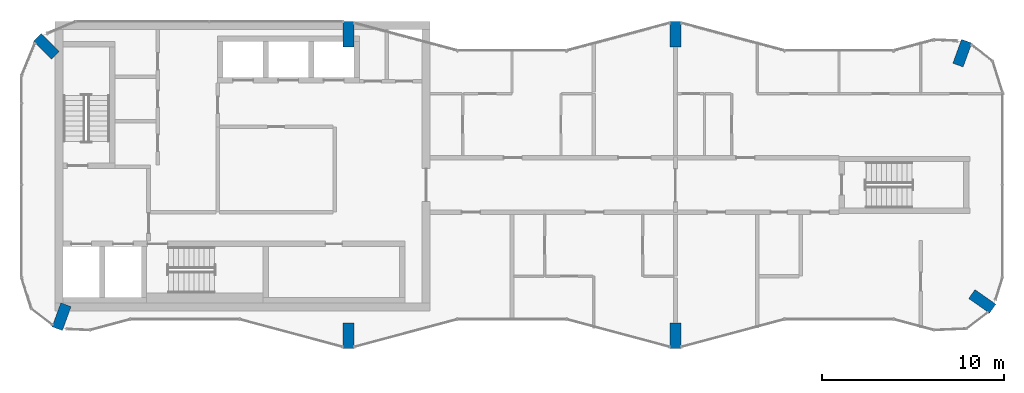
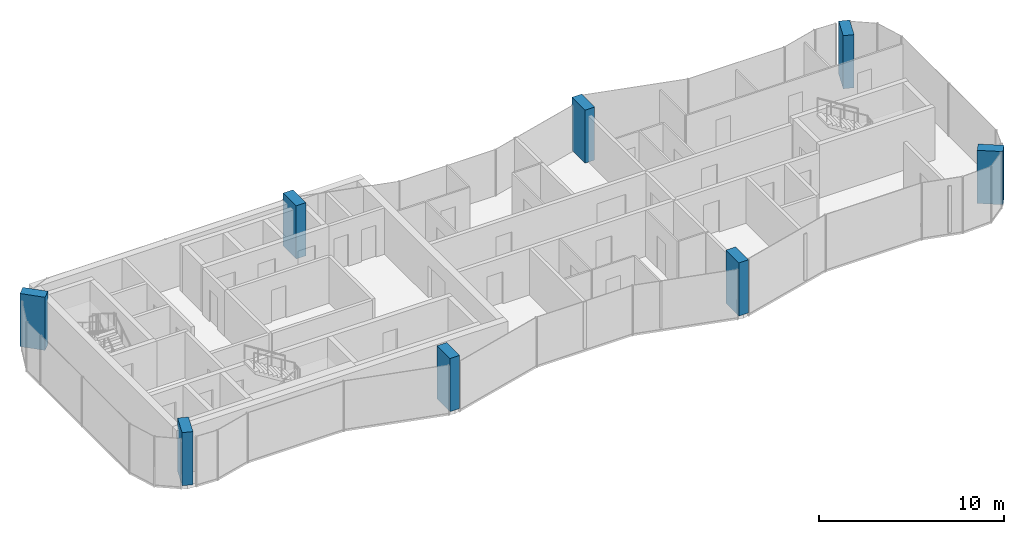
# One storey, part 1 of 10: 8 columns.
"""IFC4 building model written with IfcOpenShell, lengths in metres."""

from ifc_helpers import new_model, si_unit, direction, frame, origin, origin_2d, place, context, subcontext, project, spatial, rectangle, extrude, material, material_profile, profile_set, type_object, element, save


model = new_model("IFC4")

# Units and contexts
model_context = context("Model", 3, precision=1e-05, world=origin(), true_north=direction((0.0, 1.0)))
body_context = subcontext(model_context, "Body", "Model", "MODEL_VIEW")
ifc_project = project(units=[si_unit("LENGTHUNIT", "METRE"), si_unit("AREAUNIT", "SQUARE_METRE"), si_unit("VOLUMEUNIT", "CUBIC_METRE"), si_unit("PLANEANGLEUNIT", "RADIAN"), si_unit("MASSUNIT", "GRAM", prefix="KILO")], contexts=[model_context])

# Site, building, storey
site_placement = place(None, origin())
site = spatial("IfcSite", under=ifc_project, at=site_placement, CompositionType="ELEMENT")
building_placement = place(site_placement, origin())
building = spatial("IfcBuilding", under=site, at=building_placement, Name="Plateau Cross Towers", CompositionType="ELEMENT")
storey_placement = place(building_placement, frame((0.0, 0.0, 284.39990234375)))
storey = spatial("IfcBuildingStorey", under=building, at=storey_placement, Name="L75", CompositionType="ELEMENT", Elevation=284.39990234375)

# Columns
ifc_material = material(Name="Concrete C60/75", Category="concrete")
ifc_material_profile = material_profile(ifc_material, rectangle(XDim=0.60009765625, YDim=1.39990234375, at=origin_2d()), Name="RC 600x1400")
ifc_profile_set = profile_set([ifc_material_profile], Name="Concrete C60/75")
column_type = type_object("IfcColumnType", Name="Fin pier column RC 600x1400", PredefinedType="COLUMN", material=ifc_profile_set)
for number, where, z_axis, x_axis, name in (
    (1, (18.0, 0.699951171875, 0.0), (0.0, 0.0, 1.0), (1.0, 0.0, 0.0), "PR1 L75"),
    (2, (36.0, 0.699951171875, 0.0), (0.0, 0.0, 1.0), (1.0, 0.0, 0.0), "PR2 L75"),
    (3, (52.884033203125, 2.590087890625, 0.0), (0.0, 0.0, 1.0), (0.573542637991, 0.819175709117, 0.0), "PR3 L75"),
    (4, (51.786865234375, 16.251953125, 0.0), (0.0, 0.0, 1.0), (-0.939664280925, 0.342097996418, 0.0), "PR4 L75"),
    (5, (36.0, 17.300048828125, 0.0), (0.0, 0.0, 1.0), (1.0, 0.0, 0.0), "PR5 L75"),
    (6, (18.0, 17.300048828125, 0.0), (0.0, 0.0, 1.0), (1.0, 0.0, 0.0), "PR13 L75"),
    (7, (1.37353515625, 16.62646484375, 0.0), (0.0, 0.0, 1.0), (0.707106781187, 0.707106781187, 0.0), "PR14 L75"),
    (8, (2.213134765625, 1.748046875, 0.0), (0.0, 0.0, 1.0), (-0.939664280925, 0.342097996418, 0.0), "PR12 L75"),
):
    element("IfcColumn", number, at=place(storey_placement, frame(where, z_axis=z_axis, x_axis=x_axis)), inside=storey, type_object=column_type, Name=name, PredefinedType="COLUMN", context=body_context, shape_type="SweptSolid", body=[
        extrude(rectangle(XDim=0.60009765625, YDim=1.39990234375, at=origin_2d()), origin(), (0.0, 0.0, 1.0), 3.5),
    ])

save(model, "model.ifc")
